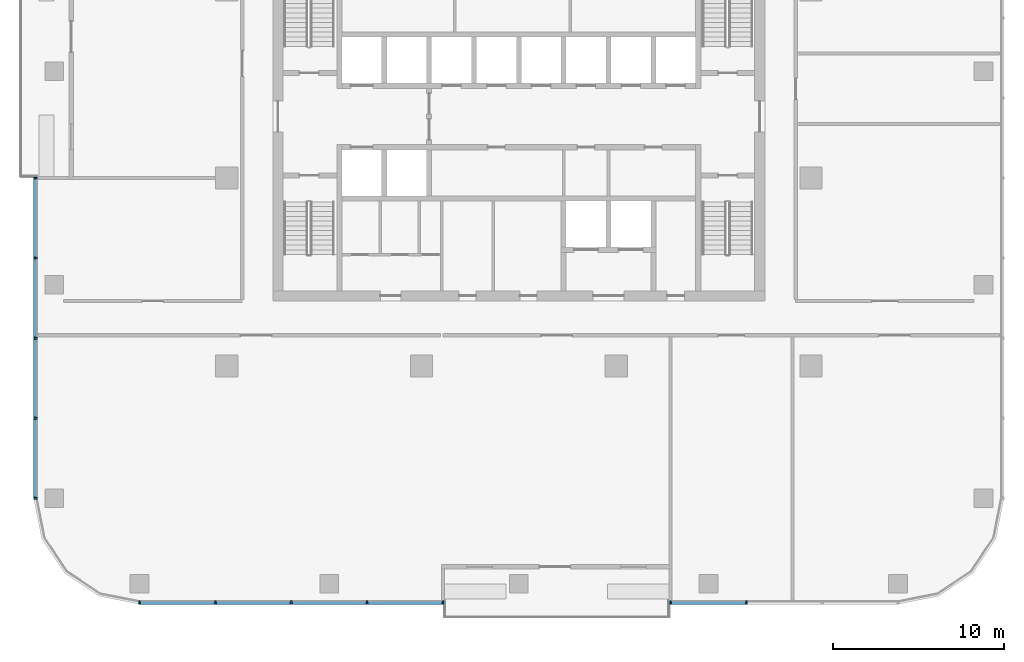
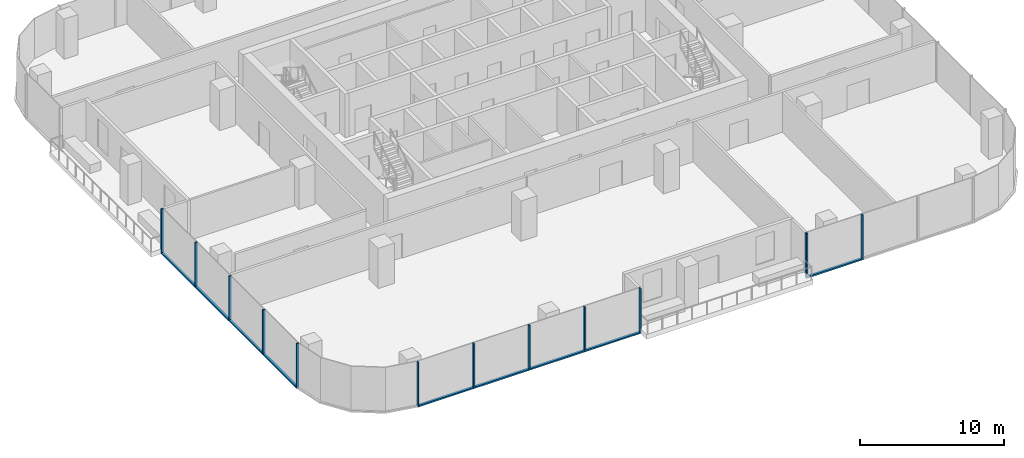
# One storey, part 2 of 14: 21 members, 3 elements without a shape of their own.
"""IFC4 building model written with IfcOpenShell, lengths in metres."""

from ifc_helpers import new_model, si_unit, direction, frame, origin, origin_2d, place, context, subcontext, project, spatial, rectangle, extrude, material, material_profile, profile_set, type_object, element, aggregate, save


model = new_model("IFC4")

# Units and contexts
model_context = context("Model", 3, precision=1e-05, world=origin(), true_north=direction((0.0, 1.0)))
body_context = subcontext(model_context, "Body", "Model", "MODEL_VIEW")
ifc_project = project(units=[si_unit("LENGTHUNIT", "METRE"), si_unit("AREAUNIT", "SQUARE_METRE"), si_unit("VOLUMEUNIT", "CUBIC_METRE"), si_unit("PLANEANGLEUNIT", "RADIAN"), si_unit("MASSUNIT", "GRAM", prefix="KILO")], contexts=[model_context])

# Site, building, storey
site_placement = place(None, origin())
site = spatial("IfcSite", under=ifc_project, at=site_placement, CompositionType="ELEMENT")
building_placement = place(site_placement, origin())
building = spatial("IfcBuilding", under=site, at=building_placement, Name="Mopane Tessera Tower", CompositionType="ELEMENT")
storey_placement = place(building_placement, frame((0.0, 0.0, 255.0)))
storey = spatial("IfcBuildingStorey", under=building, at=storey_placement, Name="L55", CompositionType="ELEMENT", Elevation=255.0)

# Curtain wall, members
ifc_material_1 = material(Name="Aluminium frame", Category="aluminium")
curtain_wall_type = type_object("IfcCurtainWallType", Name="Unitised curtain wall", PredefinedType="NOTDEFINED", material=ifc_material_1)
curtain_wall_1_placement = place(storey_placement, origin())
curtain_wall_1 = element("IfcCurtainWall", 1, at=curtain_wall_1_placement, inside=storey, type_object=curtain_wall_type, Name="e:cw:L55:S:0", PredefinedType="NOTDEFINED")
ifc_material_2 = material(Name="Aluminium frame", Category="aluminium")
ifc_material_profile_1 = material_profile(ifc_material_2, rectangle(XDim=0.10009765625, YDim=0.199951171875, at=origin_2d()))
ifc_profile_set_1 = profile_set([ifc_material_profile_1], Name="Aluminium frame")
member_type_1 = type_object("IfcMemberType", Name="Aluminium mullion 100 x 200", PredefinedType="MULLION", material=ifc_profile_set_1)
member_1_placement = place(storey_placement, frame((-22.199951171875, -24.85009765625, -0.39990234375), z_axis=(0.0, 0.0, 1.0), x_axis=(1.0, 0.0, 0.0)))
member_1 = element("IfcMember", 2, at=member_1_placement, type_object=member_type_1, Name="e:cw:L55:S:0:mu0", PredefinedType="MULLION", context=body_context, shape_type="SweptSolid", body=[
    extrude(rectangle(XDim=0.10009765625, YDim=0.199951171875, at=origin_2d()), origin(), (0.0, 0.0, 1.0), 3.7998046875),
])
member_2_placement = place(storey_placement, frame((-17.760009765625, -24.85009765625, -0.39990234375), z_axis=(0.0, 0.0, 1.0), x_axis=(1.0, 0.0, 0.0)))
member_2 = element("IfcMember", 3, at=member_2_placement, type_object=member_type_1, Name="e:cw:L55:S:0:mu1", PredefinedType="MULLION", context=body_context, shape_type="SweptSolid", body=[
    extrude(rectangle(XDim=0.10009765625, YDim=0.199951171875, at=origin_2d()), origin(), (0.0, 0.0, 1.0), 3.7998046875),
])
member_3_placement = place(storey_placement, frame((-13.320068359375, -24.85009765625, -0.39990234375), z_axis=(0.0, 0.0, 1.0), x_axis=(1.0, 0.0, 0.0)))
member_3 = element("IfcMember", 4, at=member_3_placement, type_object=member_type_1, Name="e:cw:L55:S:0:mu2", PredefinedType="MULLION", context=body_context, shape_type="SweptSolid", body=[
    extrude(rectangle(XDim=0.10009765625, YDim=0.199951171875, at=origin_2d()), origin(), (0.0, 0.0, 1.0), 3.7998046875),
])
member_4_placement = place(storey_placement, frame((-8.8798828125, -24.85009765625, -0.39990234375), z_axis=(0.0, 0.0, 1.0), x_axis=(1.0, 0.0, 0.0)))
member_4 = element("IfcMember", 5, at=member_4_placement, type_object=member_type_1, Name="e:cw:L55:S:0:mu3", PredefinedType="MULLION", context=body_context, shape_type="SweptSolid", body=[
    extrude(rectangle(XDim=0.10009765625, YDim=0.199951171875, at=origin_2d()), origin(), (0.0, 0.0, 1.0), 3.7998046875),
])
member_5_placement = place(storey_placement, frame((-4.43994140625, -24.85009765625, -0.39990234375), z_axis=(0.0, 0.0, 1.0), x_axis=(1.0, 0.0, 0.0)))
member_5 = element("IfcMember", 6, at=member_5_placement, type_object=member_type_1, Name="e:cw:L55:S:0:mu4", PredefinedType="MULLION", context=body_context, shape_type="SweptSolid", body=[
    extrude(rectangle(XDim=0.10009765625, YDim=0.199951171875, at=origin_2d()), origin(), (0.0, 0.0, 1.0), 3.7998046875),
])

curtain_wall_2_placement = place(storey_placement, origin())
curtain_wall_2 = element("IfcCurtainWall", 7, at=curtain_wall_2_placement, inside=storey, type_object=curtain_wall_type, Name="e:cw:L55:S:7", PredefinedType="NOTDEFINED")
member_6_placement = place(storey_placement, frame((8.8798828125, -24.85009765625, -0.39990234375), z_axis=(0.0, 0.0, 1.0), x_axis=(1.0, 0.0, 0.0)))
member_6 = element("IfcMember", 8, at=member_6_placement, type_object=member_type_1, Name="e:cw:L55:S:7:mu7", PredefinedType="MULLION", context=body_context, shape_type="SweptSolid", body=[
    extrude(rectangle(XDim=0.10009765625, YDim=0.199951171875, at=origin_2d()), origin(), (0.0, 0.0, 1.0), 3.7998046875),
])
member_7_placement = place(storey_placement, frame((13.320068359375, -24.85009765625, -0.39990234375), z_axis=(0.0, 0.0, 1.0), x_axis=(1.0, 0.0, 0.0)))
member_7 = element("IfcMember", 9, at=member_7_placement, type_object=member_type_1, Name="e:cw:L55:S:7:mu8", PredefinedType="MULLION", context=body_context, shape_type="SweptSolid", body=[
    extrude(rectangle(XDim=0.10009765625, YDim=0.199951171875, at=origin_2d()), origin(), (0.0, 0.0, 1.0), 3.7998046875),
])

curtain_wall_3_placement = place(storey_placement, origin())
curtain_wall_3 = element("IfcCurtainWall", 10, at=curtain_wall_3_placement, inside=storey, type_object=curtain_wall_type, Name="e:cw:L55:W:4", PredefinedType="NOTDEFINED")
member_8_placement = place(storey_placement, frame((-28.300048828125, 0.0, -0.39990234375), z_axis=(0.0, 0.0, 1.0), x_axis=(0.0, -1.0, 0.0)))
member_8 = element("IfcMember", 11, at=member_8_placement, type_object=member_type_1, Name="e:cw:L55:W:4:mu4", PredefinedType="MULLION", context=body_context, shape_type="SweptSolid", body=[
    extrude(rectangle(XDim=0.10009765625, YDim=0.199951171875, at=origin_2d()), origin(), (0.0, 0.0, 1.0), 3.7998046875),
])
member_9_placement = place(storey_placement, frame((-28.300048828125, -4.6875, -0.39990234375), z_axis=(0.0, 0.0, 1.0), x_axis=(0.0, -1.0, 0.0)))
member_9 = element("IfcMember", 12, at=member_9_placement, type_object=member_type_1, Name="e:cw:L55:W:4:mu5", PredefinedType="MULLION", context=body_context, shape_type="SweptSolid", body=[
    extrude(rectangle(XDim=0.10009765625, YDim=0.199951171875, at=origin_2d()), origin(), (0.0, 0.0, 1.0), 3.7998046875),
])
member_10_placement = place(storey_placement, frame((-28.300048828125, -9.375, -0.39990234375), z_axis=(0.0, 0.0, 1.0), x_axis=(0.0, -1.0, 0.0)))
member_10 = element("IfcMember", 13, at=member_10_placement, type_object=member_type_1, Name="e:cw:L55:W:4:mu6", PredefinedType="MULLION", context=body_context, shape_type="SweptSolid", body=[
    extrude(rectangle(XDim=0.10009765625, YDim=0.199951171875, at=origin_2d()), origin(), (0.0, 0.0, 1.0), 3.7998046875),
])
member_11_placement = place(storey_placement, frame((-28.300048828125, -14.0625, -0.39990234375), z_axis=(0.0, 0.0, 1.0), x_axis=(0.0, -1.0, 0.0)))
member_11 = element("IfcMember", 14, at=member_11_placement, type_object=member_type_1, Name="e:cw:L55:W:4:mu7", PredefinedType="MULLION", context=body_context, shape_type="SweptSolid", body=[
    extrude(rectangle(XDim=0.10009765625, YDim=0.199951171875, at=origin_2d()), origin(), (0.0, 0.0, 1.0), 3.7998046875),
])
member_12_placement = place(storey_placement, frame((-28.300048828125, -18.75, -0.39990234375), z_axis=(0.0, 0.0, 1.0), x_axis=(0.0, -1.0, 0.0)))
member_12 = element("IfcMember", 15, at=member_12_placement, type_object=member_type_1, Name="e:cw:L55:W:4:mu8", PredefinedType="MULLION", context=body_context, shape_type="SweptSolid", body=[
    extrude(rectangle(XDim=0.10009765625, YDim=0.199951171875, at=origin_2d()), origin(), (0.0, 0.0, 1.0), 3.7998046875),
])

# Member
ifc_material_3 = material(Name="Aluminium frame", Category="aluminium")
ifc_material_profile_2 = material_profile(ifc_material_3, rectangle(XDim=0.199951171875, YDim=0.1201171875, at=origin_2d()))
ifc_profile_set_2 = profile_set([ifc_material_profile_2], Name="Aluminium frame")
member_type_2 = type_object("IfcMemberType", Name="Aluminium transom 200 x 120", PredefinedType="USERDEFINED", material=ifc_profile_set_2)
member_13_placement = place(storey_placement, frame((-22.14990234375, -24.85009765625, -0.340087890625), z_axis=(1.0, 0.0, 0.0), x_axis=(0.0, 1.0, 0.0)))
member_13 = element("IfcMember", 16, at=member_13_placement, type_object=member_type_2, Name="e:cw:L55:S:0:tr0", ObjectType="TRANSOM", PredefinedType="USERDEFINED", context=body_context, shape_type="SweptSolid", body=[
    extrude(rectangle(XDim=0.199951171875, YDim=0.1201171875, at=origin_2d()), origin(), (0.0, 0.0, 1.0), 4.33984375),
])

member_14_placement = place(storey_placement, frame((-17.7099609375, -24.85009765625, -0.340087890625), z_axis=(1.0, 0.0, 0.0), x_axis=(0.0, 1.0, 0.0)))
member_14 = element("IfcMember", 17, at=member_14_placement, type_object=member_type_2, Name="e:cw:L55:S:0:tr1", ObjectType="TRANSOM", PredefinedType="USERDEFINED", context=body_context, shape_type="SweptSolid", body=[
    extrude(rectangle(XDim=0.199951171875, YDim=0.1201171875, at=origin_2d()), origin(), (0.0, 0.0, 1.0), 4.33984375),
])

member_15_placement = place(storey_placement, frame((-13.27001953125, -24.85009765625, -0.340087890625), z_axis=(1.0, 0.0, 0.0), x_axis=(0.0, 1.0, 0.0)))
member_15 = element("IfcMember", 18, at=member_15_placement, type_object=member_type_2, Name="e:cw:L55:S:0:tr2", ObjectType="TRANSOM", PredefinedType="USERDEFINED", context=body_context, shape_type="SweptSolid", body=[
    extrude(rectangle(XDim=0.199951171875, YDim=0.1201171875, at=origin_2d()), origin(), (0.0, 0.0, 1.0), 4.340087890625),
])

member_16_placement = place(storey_placement, frame((-8.830078125, -24.85009765625, -0.340087890625), z_axis=(1.0, 0.0, 0.0), x_axis=(0.0, 1.0, 0.0)))
member_16 = element("IfcMember", 19, at=member_16_placement, type_object=member_type_2, Name="e:cw:L55:S:0:tr3", ObjectType="TRANSOM", PredefinedType="USERDEFINED", context=body_context, shape_type="SweptSolid", body=[
    extrude(rectangle(XDim=0.199951171875, YDim=0.1201171875, at=origin_2d()), origin(), (0.0, 0.0, 1.0), 4.340087890625),
])

aggregate(curtain_wall_1, [member_1, member_2, member_3, member_4, member_5, member_13, member_14, member_15, member_16])

member_17_placement = place(storey_placement, frame((8.929931640625, -24.85009765625, -0.340087890625), z_axis=(1.0, 0.0, 0.0), x_axis=(0.0, 1.0, 0.0)))
member_17 = element("IfcMember", 20, at=member_17_placement, type_object=member_type_2, Name="e:cw:L55:S:7:tr7", ObjectType="TRANSOM", PredefinedType="USERDEFINED", context=body_context, shape_type="SweptSolid", body=[
    extrude(rectangle(XDim=0.199951171875, YDim=0.1201171875, at=origin_2d()), origin(), (0.0, 0.0, 1.0), 4.340087890625),
])

aggregate(curtain_wall_2, [member_6, member_7, member_17])

member_18_placement = place(storey_placement, frame((-28.300048828125, -0.050048828125, -0.340087890625), z_axis=(0.0, -1.0, 0.0), x_axis=(1.0, 0.0, 0.0)))
member_18 = element("IfcMember", 21, at=member_18_placement, type_object=member_type_2, Name="e:cw:L55:W:4:tr4", ObjectType="TRANSOM", PredefinedType="USERDEFINED", context=body_context, shape_type="SweptSolid", body=[
    extrude(rectangle(XDim=0.199951171875, YDim=0.1201171875, at=origin_2d()), origin(), (0.0, 0.0, 1.0), 4.58740234375),
])

member_19_placement = place(storey_placement, frame((-28.300048828125, -4.737548828125, -0.340087890625), z_axis=(0.0, -1.0, 0.0), x_axis=(1.0, 0.0, 0.0)))
member_19 = element("IfcMember", 22, at=member_19_placement, type_object=member_type_2, Name="e:cw:L55:W:4:tr5", ObjectType="TRANSOM", PredefinedType="USERDEFINED", context=body_context, shape_type="SweptSolid", body=[
    extrude(rectangle(XDim=0.199951171875, YDim=0.1201171875, at=origin_2d()), origin(), (0.0, 0.0, 1.0), 4.58740234375),
])

member_20_placement = place(storey_placement, frame((-28.300048828125, -9.425048828125, -0.340087890625), z_axis=(0.0, -1.0, 0.0), x_axis=(1.0, 0.0, 0.0)))
member_20 = element("IfcMember", 23, at=member_20_placement, type_object=member_type_2, Name="e:cw:L55:W:4:tr6", ObjectType="TRANSOM", PredefinedType="USERDEFINED", context=body_context, shape_type="SweptSolid", body=[
    extrude(rectangle(XDim=0.199951171875, YDim=0.1201171875, at=origin_2d()), origin(), (0.0, 0.0, 1.0), 4.58740234375),
])

member_21_placement = place(storey_placement, frame((-28.300048828125, -14.112548828125, -0.340087890625), z_axis=(0.0, -1.0, 0.0), x_axis=(1.0, 0.0, 0.0)))
member_21 = element("IfcMember", 24, at=member_21_placement, type_object=member_type_2, Name="e:cw:L55:W:4:tr7", ObjectType="TRANSOM", PredefinedType="USERDEFINED", context=body_context, shape_type="SweptSolid", body=[
    extrude(rectangle(XDim=0.199951171875, YDim=0.1201171875, at=origin_2d()), origin(), (0.0, 0.0, 1.0), 4.58740234375),
])

aggregate(curtain_wall_3, [member_8, member_9, member_10, member_11, member_12, member_18, member_19, member_20, member_21])

save(model, "model.ifc")
